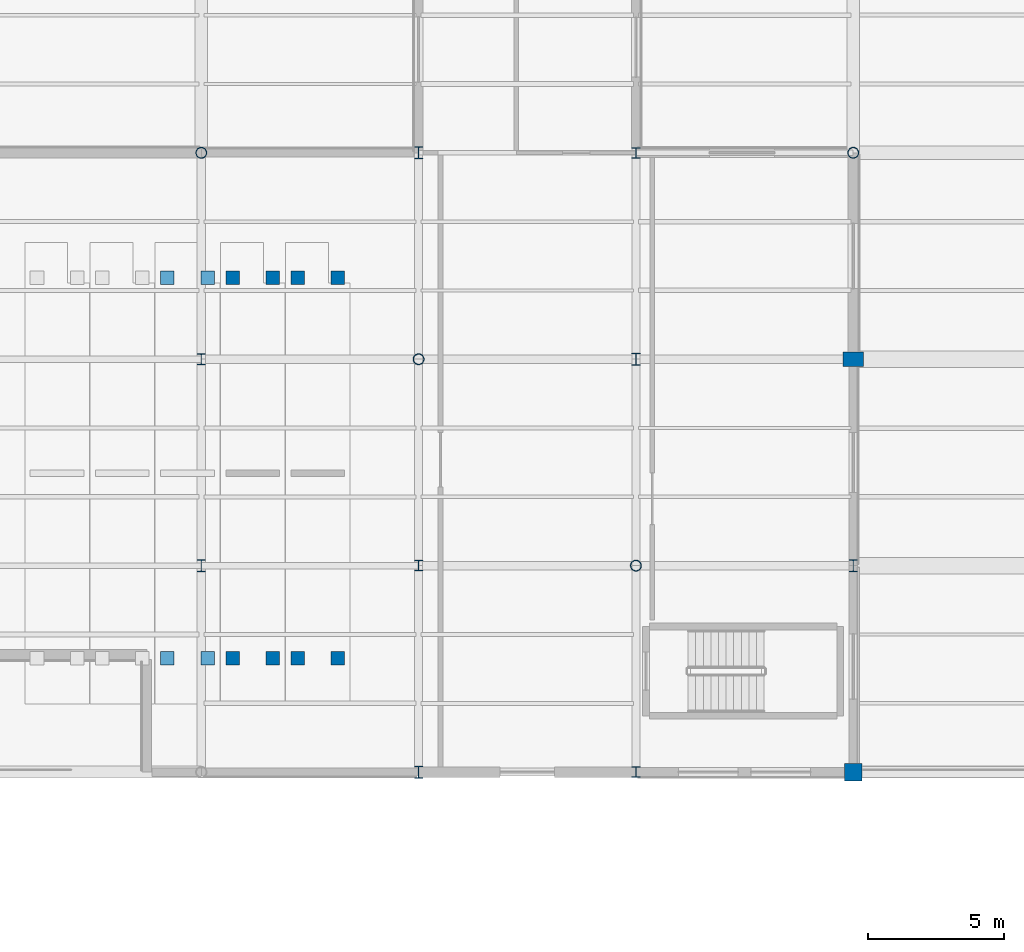
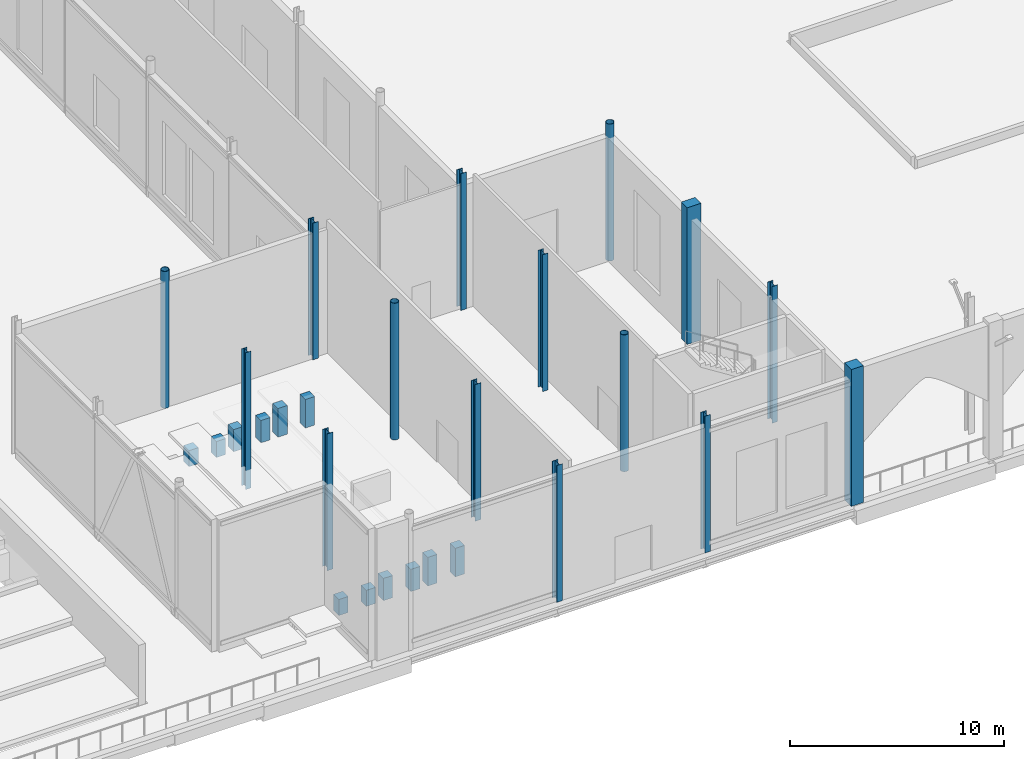
# One storey, part 2 of 176: 27 columns.
"""IFC4 building model written with IfcOpenShell, lengths in metres."""

from ifc_helpers import new_model, si_unit, direction, frame, origin, origin_2d, place, context, subcontext, project, spatial, rectangle, hollow_circle, i_section, extrude, material, material_profile, profile_set, type_object, element, save


model = new_model("IFC4")

# Units and contexts
model_context = context("Model", 3, precision=1e-05, world=origin(), true_north=direction((0.0, 1.0)))
body_context = subcontext(model_context, "Body", "Model", "MODEL_VIEW")
ifc_project = project(units=[si_unit("LENGTHUNIT", "METRE"), si_unit("AREAUNIT", "SQUARE_METRE"), si_unit("VOLUMEUNIT", "CUBIC_METRE"), si_unit("PLANEANGLEUNIT", "RADIAN"), si_unit("MASSUNIT", "GRAM", prefix="KILO")], contexts=[model_context])

# Site, building, storey
site_placement = place(None, origin())
site = spatial("IfcSite", under=ifc_project, at=site_placement, CompositionType="ELEMENT")
building_placement = place(site_placement, origin())
building = spatial("IfcBuilding", under=site, at=building_placement, Name="Vekula Escarpment Museum", CompositionType="ELEMENT")
storey_placement = place(building_placement, origin())
storey = spatial("IfcBuildingStorey", under=building, at=storey_placement, Name="L01", CompositionType="ELEMENT", Elevation=0.0)

# Columns
ifc_material_1 = material(Name="Concrete C35/45", Category="concrete")
ifc_material_profile_1 = material_profile(ifc_material_1, rectangle(XDim=0.5, YDim=0.5, at=origin_2d()), Name="RC 500x500")
ifc_profile_set_1 = profile_set([ifc_material_profile_1], Name="Concrete C35/45")
column_type_1 = type_object("IfcColumnType", Name="COL-B1-RC500", PredefinedType="COLUMN", material=ifc_profile_set_1)
for number, where, z_axis, x_axis, name in (
    (1, (30.75, 4.199951171875, 0.0), (0.0, 0.0, 1.0), (1.0, 0.0, 0.0), "Auditorium Deck Raker Pier 3-1"),
    (2, (32.22998046875, 4.199951171875, 0.0), (0.0, 0.0, 1.0), (1.0, 0.0, 0.0), "Auditorium Deck Raker Pier 3-2"),
    (3, (32.22998046875, 18.199951171875, 0.0), (0.0, 0.0, 1.0), (1.0, 0.0, 0.0), "Auditorium Deck Raker Pier 3-3"),
    (4, (30.75, 18.199951171875, 0.0), (0.0, 0.0, 1.0), (1.0, 0.0, 0.0), "Auditorium Deck Raker Pier 3-4"),
):
    element("IfcColumn", number, at=place(storey_placement, frame(where, z_axis=z_axis, x_axis=x_axis)), inside=storey, type_object=column_type_1, Name=name, PredefinedType="COLUMN", context=body_context, shape_type="SweptSolid", body=[
        extrude(rectangle(XDim=0.5, YDim=0.5, at=origin_2d()), origin(), (0.0, 0.0, 1.0), 0.909912109375),
    ])
for number, where, z_axis, x_axis, name in (
    (5, (33.14990234375, 4.199951171875, 0.0), (0.0, 0.0, 1.0), (1.0, 0.0, 0.0), "Auditorium Deck Raker Pier 4-1"),
    (6, (34.6298828125, 4.199951171875, 0.0), (0.0, 0.0, 1.0), (1.0, 0.0, 0.0), "Auditorium Deck Raker Pier 4-2"),
    (7, (34.6298828125, 18.199951171875, 0.0), (0.0, 0.0, 1.0), (1.0, 0.0, 0.0), "Auditorium Deck Raker Pier 4-3"),
    (8, (33.14990234375, 18.199951171875, 0.0), (0.0, 0.0, 1.0), (1.0, 0.0, 0.0), "Auditorium Deck Raker Pier 4-4"),
):
    element("IfcColumn", number, at=place(storey_placement, frame(where, z_axis=z_axis, x_axis=x_axis)), inside=storey, type_object=column_type_1, Name=name, PredefinedType="COLUMN", context=body_context, shape_type="SweptSolid", body=[
        extrude(rectangle(XDim=0.5, YDim=0.5, at=origin_2d()), origin(), (0.0, 0.0, 1.0), 1.27001953125),
    ])
for number, where, z_axis, x_axis, name in (
    (9, (35.550048828125, 4.199951171875, 0.0), (0.0, 0.0, 1.0), (1.0, 0.0, 0.0), "Auditorium Deck Raker Pier 5-1"),
    (10, (37.030029296875, 4.199951171875, 0.0), (0.0, 0.0, 1.0), (1.0, 0.0, 0.0), "Auditorium Deck Raker Pier 5-2"),
    (11, (37.030029296875, 18.199951171875, 0.0), (0.0, 0.0, 1.0), (1.0, 0.0, 0.0), "Auditorium Deck Raker Pier 5-3"),
    (12, (35.550048828125, 18.199951171875, 0.0), (0.0, 0.0, 1.0), (1.0, 0.0, 0.0), "Auditorium Deck Raker Pier 5-4"),
):
    element("IfcColumn", number, at=place(storey_placement, frame(where, z_axis=z_axis, x_axis=x_axis)), inside=storey, type_object=column_type_1, Name=name, PredefinedType="COLUMN", context=body_context, shape_type="SweptSolid", body=[
        extrude(rectangle(XDim=0.5, YDim=0.5, at=origin_2d()), origin(), (0.0, 0.0, 1.0), 1.6298828125),
    ])
ifc_material_2 = material(Name="Steel S355", Category="steel")
ifc_material_profile_2 = material_profile(ifc_material_2, hollow_circle(Radius=0.203125, WallThickness=0.02001953125, at=origin_2d()), Name="CHS 406.4x20")
ifc_profile_set_2 = profile_set([ifc_material_profile_2], Name="Steel S355")
column_type_2 = type_object("IfcColumnType", Name="COL-S-CHS406", PredefinedType="COLUMN", material=ifc_profile_set_2)
for number, where, z_axis, x_axis, name in (
    (13, (32.0, 22.800048828125, 0.0), (0.0, 0.0, 1.0), (1.0, 0.0, 0.0), "Column L01 (32.0,22.8)"),
    (14, (40.0, 15.199951171875, 0.0), (0.0, 0.0, 1.0), (1.0, 0.0, 0.0), "Column L01 (40.0,15.2)"),
    (15, (48.0, 7.60009765625, 0.0), (0.0, 0.0, 1.0), (1.0, 0.0, 0.0), "Column L01 (48.0,7.6)"),
    (16, (56.0, 22.800048828125, 0.0), (0.0, 0.0, 1.0), (1.0, 0.0, 0.0), "Column L01 (56.0,22.8)"),
):
    element("IfcColumn", number, at=place(storey_placement, frame(where, z_axis=z_axis, x_axis=x_axis)), inside=storey, type_object=column_type_2, Name=name, PredefinedType="COLUMN", context=body_context, shape_type="SweptSolid", body=[
        extrude(hollow_circle(Radius=0.203125, WallThickness=0.02001953125, at=origin_2d()), origin(), (0.0, 0.0, 1.0), 7.800048828125),
    ])
ifc_material_3 = material(Name="Steel S355", Category="steel")
ifc_material_profile_3 = material_profile(ifc_material_3, i_section(OverallWidth=0.300048828125, OverallDepth=0.389892578125, WebThickness=0.010986328125, FlangeThickness=0.01904296875, FilletRadius=0.027099609375, at=origin_2d()), Name="HEA 400")
ifc_profile_set_3 = profile_set([ifc_material_profile_3], Name="Steel S355")
column_type_3 = type_object("IfcColumnType", Name="COL-S-HEA400", PredefinedType="COLUMN", material=ifc_profile_set_3)
for number, where, z_axis, x_axis, name in (
    (17, (32.0, 15.199951171875, 0.0), (0.0, 0.0, 1.0), (1.0, 0.0, 0.0), "Column L01 (32.0,15.2)"),
    (18, (40.0, 7.60009765625, 0.0), (0.0, 0.0, 1.0), (1.0, 0.0, 0.0), "Column L01 (40.0,7.6)"),
    (19, (48.0, 0.0, 0.0), (0.0, 0.0, 1.0), (1.0, 0.0, 0.0), "Column L01 (48.0,0.0)"),
    (20, (48.0, 22.800048828125, 0.0), (0.0, 0.0, 1.0), (1.0, 0.0, 0.0), "Column L01 (48.0,22.8)"),
):
    element("IfcColumn", number, at=place(storey_placement, frame(where, z_axis=z_axis, x_axis=x_axis)), inside=storey, type_object=column_type_3, Name=name, PredefinedType="COLUMN", context=body_context, shape_type="SweptSolid", body=[
        extrude(i_section(OverallWidth=0.300048828125, OverallDepth=0.389892578125, WebThickness=0.010986328125, FlangeThickness=0.01904296875, FilletRadius=0.027099609375, at=origin_2d()), origin(), (0.0, 0.0, 1.0), 7.800048828125),
    ])
ifc_material_4 = material(Name="Steel S355", Category="steel")
ifc_material_profile_4 = material_profile(ifc_material_4, i_section(OverallWidth=0.300048828125, OverallDepth=0.43994140625, WebThickness=0.011474609375, FlangeThickness=0.02099609375, FilletRadius=0.027099609375, at=origin_2d()), Name="HEA 450")
ifc_profile_set_4 = profile_set([ifc_material_profile_4], Name="Steel S355")
column_type_4 = type_object("IfcColumnType", Name="COL-S-HEA450", PredefinedType="COLUMN", material=ifc_profile_set_4)
for number, where, z_axis, x_axis, name in (
    (21, (32.0, 7.60009765625, 0.0), (0.0, 0.0, 1.0), (1.0, 0.0, 0.0), "Column L01 (32.0,7.6)"),
    (22, (40.0, 0.0, 0.0), (0.0, 0.0, 1.0), (1.0, 0.0, 0.0), "Column L01 (40.0,0.0)"),
    (23, (40.0, 22.800048828125, 0.0), (0.0, 0.0, 1.0), (1.0, 0.0, 0.0), "Column L01 (40.0,22.8)"),
    (24, (48.0, 15.199951171875, 0.0), (0.0, 0.0, 1.0), (1.0, 0.0, 0.0), "Column L01 (48.0,15.2)"),
    (25, (56.0, 7.60009765625, 0.0), (0.0, 0.0, 1.0), (1.0, 0.0, 0.0), "Column L01 (56.0,7.6)"),
):
    element("IfcColumn", number, at=place(storey_placement, frame(where, z_axis=z_axis, x_axis=x_axis)), inside=storey, type_object=column_type_4, Name=name, PredefinedType="COLUMN", context=body_context, shape_type="SweptSolid", body=[
        extrude(i_section(OverallWidth=0.300048828125, OverallDepth=0.43994140625, WebThickness=0.011474609375, FlangeThickness=0.02099609375, FilletRadius=0.027099609375, at=origin_2d()), origin(), (0.0, 0.0, 1.0), 7.800048828125),
    ])
ifc_material_5 = material(Name="Inkisi arkosic sandstone masonry", Category="masonry")
ifc_material_profile_5 = material_profile(ifc_material_5, rectangle(XDim=0.64990234375, YDim=0.64990234375, at=origin_2d()), Name="PIER 650x650")
ifc_profile_set_5 = profile_set([ifc_material_profile_5], Name="Inkisi arkosic sandstone masonry")
column_type_5 = type_object("IfcColumnType", Name="PIL-ALM-650", PredefinedType="PILASTER", material=ifc_profile_set_5)
column_1_placement = place(storey_placement, frame((56.0, 0.0, 0.0), z_axis=(0.0, 0.0, 1.0), x_axis=(1.0, 0.0, 0.0)))
element("IfcColumn", 26, at=column_1_placement, inside=storey, type_object=column_type_5, Name="Column L01 (56.0,0.0)", PredefinedType="PILASTER", context=body_context, shape_type="SweptSolid", body=[
    extrude(rectangle(XDim=0.64990234375, YDim=0.64990234375, at=origin_2d()), origin(), (0.0, 0.0, 1.0), 7.800048828125),
])
ifc_material_6 = material(Name="Inkisi arkosic sandstone masonry", Category="masonry")
ifc_material_profile_6 = material_profile(ifc_material_6, rectangle(XDim=0.75, YDim=0.550048828125, at=origin_2d()), Name="PIER 750x550")
ifc_profile_set_6 = profile_set([ifc_material_profile_6], Name="Inkisi arkosic sandstone masonry")
column_type_6 = type_object("IfcColumnType", Name="PIL-ALM-750", PredefinedType="PILASTER", material=ifc_profile_set_6)
column_2_placement = place(storey_placement, frame((56.0, 15.199951171875, 0.0), z_axis=(0.0, 0.0, 1.0), x_axis=(1.0, 0.0, 0.0)))
element("IfcColumn", 27, at=column_2_placement, inside=storey, type_object=column_type_6, Name="Column L01 (56.0,15.2)", PredefinedType="PILASTER", context=body_context, shape_type="SweptSolid", body=[
    extrude(rectangle(XDim=0.75, YDim=0.550048828125, at=origin_2d()), origin(), (0.0, 0.0, 1.0), 7.800048828125),
])

save(model, "model.ifc")
